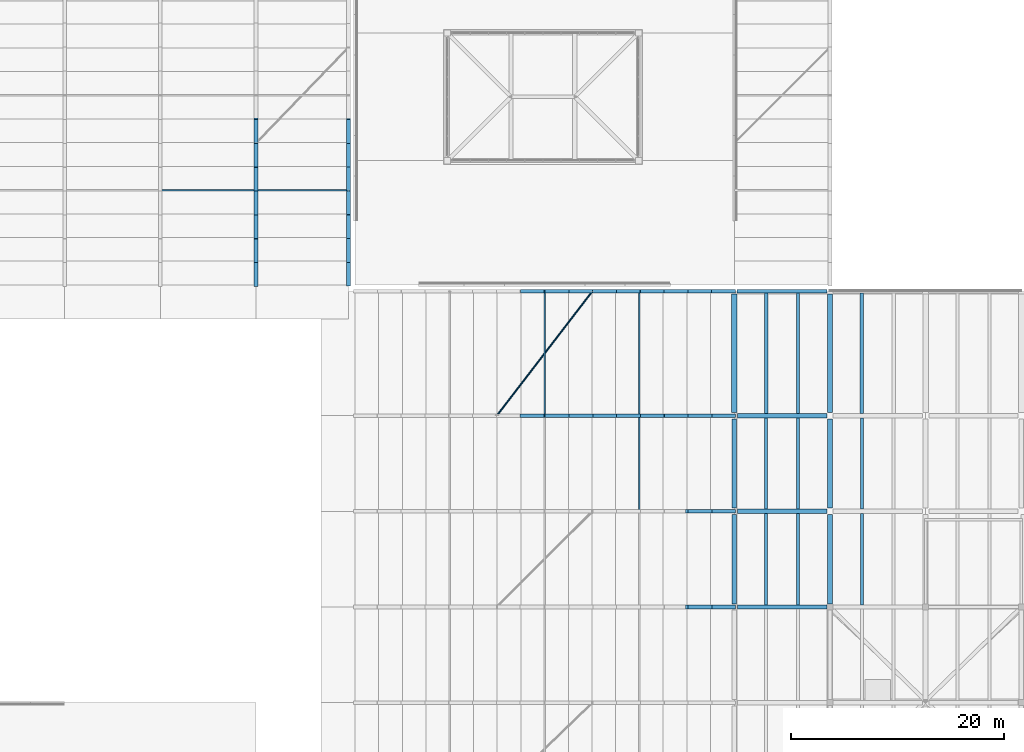
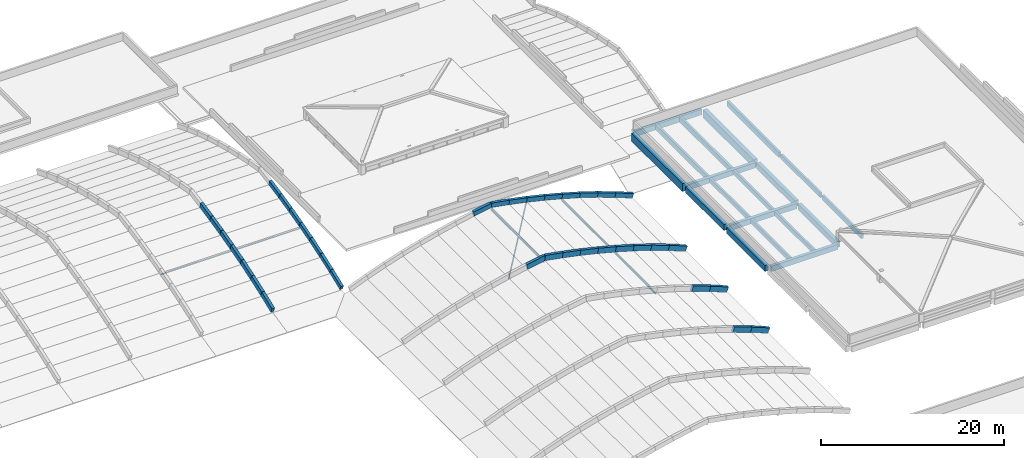
# One storey, part 32 of 56: 55 beams, 6 members.
"""IFC4 building model written with IfcOpenShell, lengths in metres."""

from ifc_helpers import new_model, si_unit, direction, frame, origin, origin_2d, place, context, subcontext, project, spatial, rectangle, hollow_rectangle, hollow_circle, i_section, extrude, material, material_profile, profile_set, type_object, element, save


model = new_model("IFC4")

# Units and contexts
model_context = context("Model", 3, precision=1e-05, world=origin(), true_north=direction((0.0, 1.0)))
body_context = subcontext(model_context, "Body", "Model", "MODEL_VIEW")
ifc_project = project(units=[si_unit("LENGTHUNIT", "METRE"), si_unit("AREAUNIT", "SQUARE_METRE"), si_unit("VOLUMEUNIT", "CUBIC_METRE"), si_unit("PLANEANGLEUNIT", "RADIAN"), si_unit("MASSUNIT", "GRAM", prefix="KILO")], contexts=[model_context])

# Site, building, storey
site_placement = place(None, origin())
site = spatial("IfcSite", under=ifc_project, at=site_placement, CompositionType="ELEMENT")
building_placement = place(site_placement, origin())
building = spatial("IfcBuilding", under=site, at=building_placement, Name="Zacnel Wholesale Market", CompositionType="ELEMENT")
storey_placement = place(building_placement, frame((0.0, 0.0, 20.300048828125)))
storey = spatial("IfcBuildingStorey", under=building, at=storey_placement, Name="RF", CompositionType="ELEMENT", Elevation=20.300048828125)

# Beams
ifc_material_1 = material(Name="Concrete C40/50", Category="concrete")
ifc_material_profile_1 = material_profile(ifc_material_1, rectangle(XDim=0.35009765625, YDim=0.60009765625, at=origin_2d()), Name="ARCH RIB 350x600")
ifc_profile_set_1 = profile_set([ifc_material_profile_1], Name="Concrete C40/50")
beam_type_1 = type_object("IfcBeamType", Name="BM-AR600", PredefinedType="USERDEFINED", material=ifc_profile_set_1)
beam_1_placement = place(storey_placement, frame((143.699951171875, 96.300048828125, -8.830078125), z_axis=(0.0, 0.930242102492, 0.366946359501), x_axis=(-1.0, 0.0, 0.0)))
element("IfcBeam", 1, at=beam_1_placement, inside=storey, type_object=beam_type_1, Name="Extrados arch rib north_west-143.7-S01", ObjectType="ARCH RIB", PredefinedType="USERDEFINED", context=body_context, shape_type="SweptSolid", body=[
    extrude(rectangle(XDim=0.35009765625, YDim=0.60009765625, at=origin_2d()), origin(), (0.0, 0.0, 1.0), 2.3984375),
])
beam_2_placement = place(storey_placement, frame((143.699951171875, 98.53125, -7.949951171875), z_axis=(0.0, 0.941347429701, 0.337438907944), x_axis=(-1.0, 0.0, 0.0)))
element("IfcBeam", 2, at=beam_2_placement, inside=storey, type_object=beam_type_1, Name="Extrados arch rib north_west-143.7-S02", ObjectType="ARCH RIB", PredefinedType="USERDEFINED", context=body_context, shape_type="SweptSolid", body=[
    extrude(rectangle(XDim=0.35009765625, YDim=0.60009765625, at=origin_2d()), origin(), (0.0, 0.0, 1.0), 2.3701171875),
])
beam_3_placement = place(storey_placement, frame((143.699951171875, 100.762451171875, -7.150146484375), z_axis=(0.0, 0.951649713947, 0.307185321823), x_axis=(-1.0, 0.0, 0.0)))
element("IfcBeam", 3, at=beam_3_placement, inside=storey, type_object=beam_type_1, Name="Extrados arch rib north_west-143.7-S03", ObjectType="ARCH RIB", PredefinedType="USERDEFINED", context=body_context, shape_type="SweptSolid", body=[
    extrude(rectangle(XDim=0.35009765625, YDim=0.60009765625, at=origin_2d()), origin(), (0.0, 0.0, 1.0), 2.344482421875),
])
beam_4_placement = place(storey_placement, frame((143.699951171875, 102.99365234375, -6.429931640625), z_axis=(0.0, 0.961257594689, 0.275651658171), x_axis=(-1.0, 0.0, 0.0)))
element("IfcBeam", 4, at=beam_4_placement, inside=storey, type_object=beam_type_1, Name="Extrados arch rib north_west-143.7-S04", ObjectType="ARCH RIB", PredefinedType="USERDEFINED", context=body_context, shape_type="SweptSolid", body=[
    extrude(rectangle(XDim=0.35009765625, YDim=0.60009765625, at=origin_2d()), origin(), (0.0, 0.0, 1.0), 2.3212890625),
])
beam_5_placement = place(storey_placement, frame((143.699951171875, 105.22509765625, -5.7900390625), z_axis=(0.0, 0.967826117389, 0.251619964429), x_axis=(-1.0, 0.0, 0.0)))
element("IfcBeam", 5, at=beam_5_placement, inside=storey, type_object=beam_type_1, Name="Extrados arch rib north_west-143.7-S05", ObjectType="ARCH RIB", PredefinedType="USERDEFINED", context=body_context, shape_type="SweptSolid", body=[
    extrude(rectangle(XDim=0.35009765625, YDim=0.60009765625, at=origin_2d()), origin(), (0.0, 0.0, 1.0), 2.305419921875),
])
beam_6_placement = place(storey_placement, frame((143.699951171875, 107.456298828125, -5.2099609375), z_axis=(0.0, 0.973898559906, 0.226983688872), x_axis=(-1.0, 0.0, 0.0)))
element("IfcBeam", 6, at=beam_6_placement, inside=storey, type_object=beam_type_1, Name="Extrados arch rib north_west-143.7-S06", ObjectType="ARCH RIB", PredefinedType="USERDEFINED", context=body_context, shape_type="SweptSolid", body=[
    extrude(rectangle(XDim=0.35009765625, YDim=0.60009765625, at=origin_2d()), origin(), (0.0, 0.0, 1.0), 2.291015625),
])
beam_7_placement = place(storey_placement, frame((143.699951171875, 109.6875, -4.68994140625), z_axis=(0.0, 0.979405339386, 0.201903890951), x_axis=(-1.0, 0.0, 0.0)))
element("IfcBeam", 7, at=beam_7_placement, inside=storey, type_object=beam_type_1, Name="Extrados arch rib north_west-143.7-S07", ObjectType="ARCH RIB", PredefinedType="USERDEFINED", context=body_context, shape_type="SweptSolid", body=[
    extrude(rectangle(XDim=0.35009765625, YDim=0.60009765625, at=origin_2d()), origin(), (0.0, 0.0, 1.0), 2.278076171875),
])
for number, where, z_axis, x_axis, name in (
    (8, (159.918701171875, 95.699951171875, -4.22998046875), (0.984314876249, 0.0, 0.176420589484), (0.0, 1.0, 0.0), "Extrados arch rib east-95.7-S08"),
    (9, (162.14990234375, 95.699951171875, -3.830078125), (0.984314876249, 0.0, -0.176420589484), (0.0, 1.0, 0.0), "Extrados arch rib east-95.7-S09"),
):
    element("IfcBeam", number, at=place(storey_placement, frame(where, z_axis=z_axis, x_axis=x_axis)), inside=storey, type_object=beam_type_1, Name=name, ObjectType="ARCH RIB", PredefinedType="USERDEFINED", context=body_context, shape_type="SweptSolid", body=[
        extrude(rectangle(XDim=0.35009765625, YDim=0.60009765625, at=origin_2d()), origin(), (0.0, 0.0, 1.0), 2.266845703125),
    ])
beam_8_placement = place(storey_placement, frame((164.381103515625, 95.699951171875, -4.22998046875), z_axis=(0.979409707408, 0.0, -0.201882701177), x_axis=(0.0, 1.0, 0.0)))
element("IfcBeam", 10, at=beam_8_placement, inside=storey, type_object=beam_type_1, Name="Extrados arch rib east-95.7-S10", ObjectType="ARCH RIB", PredefinedType="USERDEFINED", context=body_context, shape_type="SweptSolid", body=[
    extrude(rectangle(XDim=0.35009765625, YDim=0.60009765625, at=origin_2d()), origin(), (0.0, 0.0, 1.0), 2.2783203125),
])
beam_9_placement = place(storey_placement, frame((166.612548828125, 95.699951171875, -4.68994140625), z_axis=(0.973898559906, 0.0, -0.226983688872), x_axis=(0.0, 1.0, 0.0)))
element("IfcBeam", 11, at=beam_9_placement, inside=storey, type_object=beam_type_1, Name="Extrados arch rib east-95.7-S11", ObjectType="ARCH RIB", PredefinedType="USERDEFINED", context=body_context, shape_type="SweptSolid", body=[
    extrude(rectangle(XDim=0.35009765625, YDim=0.60009765625, at=origin_2d()), origin(), (0.0, 0.0, 1.0), 2.291015625),
])
beam_10_placement = place(storey_placement, frame((168.84375, 95.699951171875, -5.2099609375), z_axis=(0.967826117389, 0.0, -0.251619964429), x_axis=(0.0, 1.0, 0.0)))
element("IfcBeam", 12, at=beam_10_placement, inside=storey, type_object=beam_type_1, Name="Extrados arch rib east-95.7-S12", ObjectType="ARCH RIB", PredefinedType="USERDEFINED", context=body_context, shape_type="SweptSolid", body=[
    extrude(rectangle(XDim=0.35009765625, YDim=0.60009765625, at=origin_2d()), origin(), (0.0, 0.0, 1.0), 2.305419921875),
])
beam_11_placement = place(storey_placement, frame((171.074951171875, 95.699951171875, -5.7900390625), z_axis=(0.961257594689, 0.0, -0.275651658171), x_axis=(0.0, 1.0, 0.0)))
element("IfcBeam", 13, at=beam_11_placement, inside=storey, type_object=beam_type_1, Name="Extrados arch rib east-95.7-S13", ObjectType="ARCH RIB", PredefinedType="USERDEFINED", context=body_context, shape_type="SweptSolid", body=[
    extrude(rectangle(XDim=0.35009765625, YDim=0.60009765625, at=origin_2d()), origin(), (0.0, 0.0, 1.0), 2.3212890625),
])
beam_12_placement = place(storey_placement, frame((173.306396484375, 95.699951171875, -6.429931640625), z_axis=(0.951649713947, 0.0, -0.307185321823), x_axis=(0.0, 1.0, 0.0)))
element("IfcBeam", 14, at=beam_12_placement, inside=storey, type_object=beam_type_1, Name="Extrados arch rib east-95.7-S14", ObjectType="ARCH RIB", PredefinedType="USERDEFINED", context=body_context, shape_type="SweptSolid", body=[
    extrude(rectangle(XDim=0.35009765625, YDim=0.60009765625, at=origin_2d()), origin(), (0.0, 0.0, 1.0), 2.344482421875),
])
beam_13_placement = place(storey_placement, frame((175.53759765625, 95.699951171875, -7.150146484375), z_axis=(0.941347429701, 0.0, -0.337438907944), x_axis=(0.0, 1.0, 0.0)))
element("IfcBeam", 15, at=beam_13_placement, inside=storey, type_object=beam_type_1, Name="Extrados arch rib east-95.7-S15", ObjectType="ARCH RIB", PredefinedType="USERDEFINED", context=body_context, shape_type="SweptSolid", body=[
    extrude(rectangle(XDim=0.35009765625, YDim=0.60009765625, at=origin_2d()), origin(), (0.0, 0.0, 1.0), 2.3701171875),
])
beam_14_placement = place(storey_placement, frame((177.768798828125, 95.699951171875, -7.949951171875), z_axis=(0.930242102492, 0.0, -0.366946359501), x_axis=(0.0, 1.0, 0.0)))
element("IfcBeam", 16, at=beam_14_placement, inside=storey, type_object=beam_type_1, Name="Extrados arch rib east-95.7-S16", ObjectType="ARCH RIB", PredefinedType="USERDEFINED", context=body_context, shape_type="SweptSolid", body=[
    extrude(rectangle(XDim=0.35009765625, YDim=0.60009765625, at=origin_2d()), origin(), (0.0, 0.0, 1.0), 2.3984375),
])
ifc_material_2 = material(Name="Concrete C40/50", Category="concrete")
ifc_material_profile_2 = material_profile(ifc_material_2, rectangle(XDim=0.35009765625, YDim=0.699951171875, at=origin_2d()), Name="ARCH RIB 350x700")
ifc_profile_set_2 = profile_set([ifc_material_profile_2], Name="Concrete C40/50")
beam_type_2 = type_object("IfcBeamType", Name="BM-AR700", PredefinedType="USERDEFINED", material=ifc_profile_set_2)
beam_15_placement = place(storey_placement, frame((135.0, 96.300048828125, -8.780029296875), z_axis=(0.0, 0.930276844905, 0.366858272135), x_axis=(-1.0, 0.0, 0.0)))
element("IfcBeam", 17, at=beam_15_placement, inside=storey, type_object=beam_type_2, Name="Extrados arch rib north_west-135.0-S01", ObjectType="ARCH RIB", PredefinedType="USERDEFINED", context=body_context, shape_type="SweptSolid", body=[
    extrude(rectangle(XDim=0.35009765625, YDim=0.699951171875, at=origin_2d()), origin(), (0.0, 0.0, 1.0), 2.3984375),
])
beam_16_placement = place(storey_placement, frame((135.0, 98.53125, -7.900146484375), z_axis=(0.0, 0.94131470769, 0.337530178039), x_axis=(-1.0, 0.0, 0.0)))
element("IfcBeam", 18, at=beam_16_placement, inside=storey, type_object=beam_type_2, Name="Extrados arch rib north_west-135.0-S02", ObjectType="ARCH RIB", PredefinedType="USERDEFINED", context=body_context, shape_type="SweptSolid", body=[
    extrude(rectangle(XDim=0.35009765625, YDim=0.699951171875, at=origin_2d()), origin(), (0.0, 0.0, 1.0), 2.370361328125),
])
beam_17_placement = place(storey_placement, frame((135.0, 100.762451171875, -7.10009765625), z_axis=(0.0, 0.951680151046, 0.30709101274), x_axis=(-1.0, 0.0, 0.0)))
element("IfcBeam", 19, at=beam_17_placement, inside=storey, type_object=beam_type_2, Name="Extrados arch rib north_west-135.0-S03", ObjectType="ARCH RIB", PredefinedType="USERDEFINED", context=body_context, shape_type="SweptSolid", body=[
    extrude(rectangle(XDim=0.35009765625, YDim=0.699951171875, at=origin_2d()), origin(), (0.0, 0.0, 1.0), 2.344482421875),
])
beam_18_placement = place(storey_placement, frame((135.0, 102.99365234375, -6.380126953125), z_axis=(0.0, 0.961229723344, 0.275748833108), x_axis=(-1.0, 0.0, 0.0)))
element("IfcBeam", 20, at=beam_18_placement, inside=storey, type_object=beam_type_2, Name="Extrados arch rib north_west-135.0-S04", ObjectType="ARCH RIB", PredefinedType="USERDEFINED", context=body_context, shape_type="SweptSolid", body=[
    extrude(rectangle(XDim=0.35009765625, YDim=0.699951171875, at=origin_2d()), origin(), (0.0, 0.0, 1.0), 2.321533203125),
])
beam_19_placement = place(storey_placement, frame((135.0, 105.22509765625, -5.739990234375), z_axis=(0.0, 0.967851902384, 0.251520764653), x_axis=(-1.0, 0.0, 0.0)))
element("IfcBeam", 21, at=beam_19_placement, inside=storey, type_object=beam_type_2, Name="Extrados arch rib north_west-135.0-S05", ObjectType="ARCH RIB", PredefinedType="USERDEFINED", context=body_context, shape_type="SweptSolid", body=[
    extrude(rectangle(XDim=0.35009765625, YDim=0.699951171875, at=origin_2d()), origin(), (0.0, 0.0, 1.0), 2.305419921875),
])
beam_20_placement = place(storey_placement, frame((135.0, 107.456298828125, -5.16015625), z_axis=(0.0, 0.973898559906, 0.226983688872), x_axis=(-1.0, 0.0, 0.0)))
element("IfcBeam", 22, at=beam_20_placement, inside=storey, type_object=beam_type_2, Name="Extrados arch rib north_west-135.0-S06", ObjectType="ARCH RIB", PredefinedType="USERDEFINED", context=body_context, shape_type="SweptSolid", body=[
    extrude(rectangle(XDim=0.35009765625, YDim=0.699951171875, at=origin_2d()), origin(), (0.0, 0.0, 1.0), 2.291015625),
])
beam_21_placement = place(storey_placement, frame((135.0, 109.6875, -4.64013671875), z_axis=(0.0, 0.979384142499, 0.202006686575), x_axis=(-1.0, 0.0, 0.0)))
element("IfcBeam", 23, at=beam_21_placement, inside=storey, type_object=beam_type_2, Name="Extrados arch rib north_west-135.0-S07", ObjectType="ARCH RIB", PredefinedType="USERDEFINED", context=body_context, shape_type="SweptSolid", body=[
    extrude(rectangle(XDim=0.35009765625, YDim=0.699951171875, at=origin_2d()), origin(), (0.0, 0.0, 1.0), 2.278076171875),
])
beam_22_placement = place(storey_placement, frame((175.53759765625, 66.0, -7.10009765625), z_axis=(0.94131470769, 0.0, -0.337530178039), x_axis=(0.0, 1.0, 0.0)))
element("IfcBeam", 24, at=beam_22_placement, inside=storey, type_object=beam_type_2, Name="Extrados arch rib east-66.0-S15", ObjectType="ARCH RIB", PredefinedType="USERDEFINED", context=body_context, shape_type="SweptSolid", body=[
    extrude(rectangle(XDim=0.35009765625, YDim=0.699951171875, at=origin_2d()), origin(), (0.0, 0.0, 1.0), 2.370361328125),
])
beam_23_placement = place(storey_placement, frame((177.768798828125, 66.0, -7.900146484375), z_axis=(0.930276844905, 0.0, -0.366858272135), x_axis=(0.0, 1.0, 0.0)))
element("IfcBeam", 25, at=beam_23_placement, inside=storey, type_object=beam_type_2, Name="Extrados arch rib east-66.0-S16", ObjectType="ARCH RIB", PredefinedType="USERDEFINED", context=body_context, shape_type="SweptSolid", body=[
    extrude(rectangle(XDim=0.35009765625, YDim=0.699951171875, at=origin_2d()), origin(), (0.0, 0.0, 1.0), 2.3984375),
])
beam_24_placement = place(storey_placement, frame((175.53759765625, 75.0, -7.10009765625), z_axis=(0.94131470769, 0.0, -0.337530178039), x_axis=(0.0, 1.0, 0.0)))
element("IfcBeam", 26, at=beam_24_placement, inside=storey, type_object=beam_type_2, Name="Extrados arch rib east-75.0-S15", ObjectType="ARCH RIB", PredefinedType="USERDEFINED", context=body_context, shape_type="SweptSolid", body=[
    extrude(rectangle(XDim=0.35009765625, YDim=0.699951171875, at=origin_2d()), origin(), (0.0, 0.0, 1.0), 2.370361328125),
])
beam_25_placement = place(storey_placement, frame((177.768798828125, 75.0, -7.900146484375), z_axis=(0.930276844905, 0.0, -0.366858272135), x_axis=(0.0, 1.0, 0.0)))
element("IfcBeam", 27, at=beam_25_placement, inside=storey, type_object=beam_type_2, Name="Extrados arch rib east-75.0-S16", ObjectType="ARCH RIB", PredefinedType="USERDEFINED", context=body_context, shape_type="SweptSolid", body=[
    extrude(rectangle(XDim=0.35009765625, YDim=0.699951171875, at=origin_2d()), origin(), (0.0, 0.0, 1.0), 2.3984375),
])
for number, where, z_axis, x_axis, name in (
    (28, (159.918701171875, 84.0, -4.179931640625), (0.984314876249, 0.0, 0.176420589484), (0.0, 1.0, 0.0), "Extrados arch rib east-84.0-S08"),
    (29, (162.14990234375, 84.0, -3.780029296875), (0.984314876249, 0.0, -0.176420589484), (0.0, 1.0, 0.0), "Extrados arch rib east-84.0-S09"),
):
    element("IfcBeam", number, at=place(storey_placement, frame(where, z_axis=z_axis, x_axis=x_axis)), inside=storey, type_object=beam_type_2, Name=name, ObjectType="ARCH RIB", PredefinedType="USERDEFINED", context=body_context, shape_type="SweptSolid", body=[
        extrude(rectangle(XDim=0.35009765625, YDim=0.699951171875, at=origin_2d()), origin(), (0.0, 0.0, 1.0), 2.266845703125),
    ])
beam_26_placement = place(storey_placement, frame((164.381103515625, 84.0, -4.179931640625), z_axis=(0.979388514875, 0.0, -0.20198548693), x_axis=(0.0, 1.0, 0.0)))
element("IfcBeam", 30, at=beam_26_placement, inside=storey, type_object=beam_type_2, Name="Extrados arch rib east-84.0-S10", ObjectType="ARCH RIB", PredefinedType="USERDEFINED", context=body_context, shape_type="SweptSolid", body=[
    extrude(rectangle(XDim=0.35009765625, YDim=0.699951171875, at=origin_2d()), origin(), (0.0, 0.0, 1.0), 2.2783203125),
])
beam_27_placement = place(storey_placement, frame((166.612548828125, 84.0, -4.64013671875), z_axis=(0.973898559906, 0.0, -0.226983688872), x_axis=(0.0, 1.0, 0.0)))
element("IfcBeam", 31, at=beam_27_placement, inside=storey, type_object=beam_type_2, Name="Extrados arch rib east-84.0-S11", ObjectType="ARCH RIB", PredefinedType="USERDEFINED", context=body_context, shape_type="SweptSolid", body=[
    extrude(rectangle(XDim=0.35009765625, YDim=0.699951171875, at=origin_2d()), origin(), (0.0, 0.0, 1.0), 2.291015625),
])
beam_28_placement = place(storey_placement, frame((168.84375, 84.0, -5.16015625), z_axis=(0.967851902384, 0.0, -0.251520764653), x_axis=(0.0, 1.0, 0.0)))
element("IfcBeam", 32, at=beam_28_placement, inside=storey, type_object=beam_type_2, Name="Extrados arch rib east-84.0-S12", ObjectType="ARCH RIB", PredefinedType="USERDEFINED", context=body_context, shape_type="SweptSolid", body=[
    extrude(rectangle(XDim=0.35009765625, YDim=0.699951171875, at=origin_2d()), origin(), (0.0, 0.0, 1.0), 2.305419921875),
])
beam_29_placement = place(storey_placement, frame((171.074951171875, 84.0, -5.739990234375), z_axis=(0.961229723344, 0.0, -0.275748833108), x_axis=(0.0, 1.0, 0.0)))
element("IfcBeam", 33, at=beam_29_placement, inside=storey, type_object=beam_type_2, Name="Extrados arch rib east-84.0-S13", ObjectType="ARCH RIB", PredefinedType="USERDEFINED", context=body_context, shape_type="SweptSolid", body=[
    extrude(rectangle(XDim=0.35009765625, YDim=0.699951171875, at=origin_2d()), origin(), (0.0, 0.0, 1.0), 2.321533203125),
])
beam_30_placement = place(storey_placement, frame((173.306396484375, 84.0, -6.380126953125), z_axis=(0.951680151046, 0.0, -0.30709101274), x_axis=(0.0, 1.0, 0.0)))
element("IfcBeam", 34, at=beam_30_placement, inside=storey, type_object=beam_type_2, Name="Extrados arch rib east-84.0-S14", ObjectType="ARCH RIB", PredefinedType="USERDEFINED", context=body_context, shape_type="SweptSolid", body=[
    extrude(rectangle(XDim=0.35009765625, YDim=0.699951171875, at=origin_2d()), origin(), (0.0, 0.0, 1.0), 2.344482421875),
])
beam_31_placement = place(storey_placement, frame((175.53759765625, 84.0, -7.10009765625), z_axis=(0.94131470769, 0.0, -0.337530178039), x_axis=(0.0, 1.0, 0.0)))
element("IfcBeam", 35, at=beam_31_placement, inside=storey, type_object=beam_type_2, Name="Extrados arch rib east-84.0-S15", ObjectType="ARCH RIB", PredefinedType="USERDEFINED", context=body_context, shape_type="SweptSolid", body=[
    extrude(rectangle(XDim=0.35009765625, YDim=0.699951171875, at=origin_2d()), origin(), (0.0, 0.0, 1.0), 2.370361328125),
])
beam_32_placement = place(storey_placement, frame((177.768798828125, 84.0, -7.900146484375), z_axis=(0.930276844905, 0.0, -0.366858272135), x_axis=(0.0, 1.0, 0.0)))
element("IfcBeam", 36, at=beam_32_placement, inside=storey, type_object=beam_type_2, Name="Extrados arch rib east-84.0-S16", ObjectType="ARCH RIB", PredefinedType="USERDEFINED", context=body_context, shape_type="SweptSolid", body=[
    extrude(rectangle(XDim=0.35009765625, YDim=0.699951171875, at=origin_2d()), origin(), (0.0, 0.0, 1.0), 2.3984375),
])
ifc_material_3 = material(Name="Precast concrete C45/55", Category="concrete")
ifc_material_profile_3 = material_profile(ifc_material_3, rectangle(XDim=0.280029296875, YDim=0.60009765625, at=origin_2d()), Name="DT RIB 280x600")
ifc_profile_set_3 = profile_set([ifc_material_profile_3], Name="Precast concrete C45/55")
beam_type_3 = type_object("IfcBeamType", Name="BM-DT600", PredefinedType="JOIST", material=ifc_profile_set_3)
for number, where, z_axis, x_axis, name in (
    (37, (183.0, 66.199951171875, -0.60009765625), (0.0, 1.0, 0.0), (-1.0, 0.0, 0.0), "Precast secondary joist RF-0881"),
    (38, (186.0, 66.199951171875, -0.60009765625), (0.0, 1.0, 0.0), (-1.0, 0.0, 0.0), "Precast secondary joist RF-0882"),
    (39, (192.0, 66.199951171875, -0.60009765625), (0.0, 1.0, 0.0), (-1.0, 0.0, 0.0), "Precast secondary joist RF-0883"),
    (40, (183.0, 75.199951171875, -0.60009765625), (0.0, 1.0, 0.0), (-1.0, 0.0, 0.0), "Precast secondary joist RF-0901"),
    (41, (186.0, 75.199951171875, -0.60009765625), (0.0, 1.0, 0.0), (-1.0, 0.0, 0.0), "Precast secondary joist RF-0902"),
    (42, (192.0, 75.199951171875, -0.60009765625), (0.0, 1.0, 0.0), (-1.0, 0.0, 0.0), "Precast secondary joist RF-0903"),
):
    element("IfcBeam", number, at=place(storey_placement, frame(where, z_axis=z_axis, x_axis=x_axis)), inside=storey, type_object=beam_type_3, Name=name, PredefinedType="JOIST", context=body_context, shape_type="SweptSolid", body=[
        extrude(rectangle(XDim=0.280029296875, YDim=0.60009765625, at=origin_2d()), origin(), (0.0, 0.0, 1.0), 8.60009765625),
    ])
ifc_material_4 = material(Name="Precast concrete C45/55", Category="concrete")
ifc_material_profile_4 = material_profile(ifc_material_4, rectangle(XDim=0.300048828125, YDim=0.699951171875, at=origin_2d()), Name="DT RIB 300x700")
ifc_profile_set_4 = profile_set([ifc_material_profile_4], Name="Precast concrete C45/55")
beam_type_4 = type_object("IfcBeamType", Name="BM-DT700", PredefinedType="JOIST", material=ifc_profile_set_4)
for number, where, z_axis, x_axis, name in (
    (43, (183.0, 84.199951171875, -0.650146484375), (0.0, 1.0, 0.0), (-1.0, 0.0, 0.0), "Precast secondary joist RF-0921"),
    (44, (186.0, 84.199951171875, -0.650146484375), (0.0, 1.0, 0.0), (-1.0, 0.0, 0.0), "Precast secondary joist RF-0922"),
    (45, (192.0, 84.199951171875, -0.650146484375), (0.0, 1.0, 0.0), (-1.0, 0.0, 0.0), "Precast secondary joist RF-0923"),
):
    element("IfcBeam", number, at=place(storey_placement, frame(where, z_axis=z_axis, x_axis=x_axis)), inside=storey, type_object=beam_type_4, Name=name, PredefinedType="JOIST", context=body_context, shape_type="SweptSolid", body=[
        extrude(rectangle(XDim=0.300048828125, YDim=0.699951171875, at=origin_2d()), origin(), (0.0, 0.0, 1.0), 11.35009765625),
    ])
ifc_material_5 = material(Name="Precast concrete C45/55", Category="concrete")
ifc_material_profile_5 = material_profile(ifc_material_5, rectangle(XDim=0.5, YDim=1.050048828125, at=origin_2d()), Name="PG 500x1050")
ifc_profile_set_5 = profile_set([ifc_material_profile_5], Name="Precast concrete C45/55")
beam_type_5 = type_object("IfcBeamType", Name="BM-PG1050", PredefinedType="T_BEAM", material=ifc_profile_set_5)
for number, where, z_axis, x_axis, name in (
    (46, (180.0, 84.300048828125, -0.824951171875), (0.0, 1.0, 0.0), (-1.0, 0.0, 0.0), "Precast girder Y-1513"),
    (47, (189.0, 84.300048828125, -0.824951171875), (0.0, 1.0, 0.0), (-1.0, 0.0, 0.0), "Precast girder Y-1522"),
):
    element("IfcBeam", number, at=place(storey_placement, frame(where, z_axis=z_axis, x_axis=x_axis)), inside=storey, type_object=beam_type_5, Name=name, PredefinedType="T_BEAM", context=body_context, shape_type="SweptSolid", body=[
        extrude(rectangle(XDim=0.5, YDim=1.050048828125, at=origin_2d()), origin(), (0.0, 0.0, 1.0), 11.125),
    ])
ifc_material_6 = material(Name="Precast concrete C45/55", Category="concrete")
ifc_material_profile_6 = material_profile(ifc_material_6, rectangle(XDim=0.39990234375, YDim=0.699951171875, at=origin_2d()), Name="PG 400x700")
ifc_profile_set_6 = profile_set([ifc_material_profile_6], Name="Precast concrete C45/55")
beam_type_6 = type_object("IfcBeamType", Name="BM-PG700", PredefinedType="BEAM", material=ifc_profile_set_6)
for number, where, z_axis, x_axis, name in (
    (48, (180.300048828125, 66.0, -0.650146484375), (1.0, 0.0, 0.0), (0.0, 1.0, 0.0), "Precast girder X-1380"),
    (49, (180.300048828125, 75.0, -0.650146484375), (1.0, 0.0, 0.0), (0.0, 1.0, 0.0), "Precast girder X-1390"),
    (50, (180.300048828125, 84.0, -0.650146484375), (1.0, 0.0, 0.0), (0.0, 1.0, 0.0), "Precast girder X-1400"),
):
    element("IfcBeam", number, at=place(storey_placement, frame(where, z_axis=z_axis, x_axis=x_axis)), inside=storey, type_object=beam_type_6, Name=name, PredefinedType="BEAM", context=body_context, shape_type="SweptSolid", body=[
        extrude(rectangle(XDim=0.39990234375, YDim=0.699951171875, at=origin_2d()), origin(), (0.0, 0.0, 1.0), 8.39990234375),
    ])
ifc_material_7 = material(Name="Precast concrete C45/55", Category="concrete")
ifc_material_profile_7 = material_profile(ifc_material_7, rectangle(XDim=0.449951171875, YDim=0.800048828125, at=origin_2d()), Name="PG 450x800")
ifc_profile_set_7 = profile_set([ifc_material_profile_7], Name="Precast concrete C45/55")
beam_type_7 = type_object("IfcBeamType", Name="BM-PG800", PredefinedType="BEAM", material=ifc_profile_set_7)
for number, where, z_axis, x_axis, name in (
    (51, (180.0, 66.300048828125, -0.699951171875), (0.0, 1.0, 0.0), (-1.0, 0.0, 0.0), "Precast girder Y-1511"),
    (52, (180.0, 75.300048828125, -0.699951171875), (0.0, 1.0, 0.0), (-1.0, 0.0, 0.0), "Precast girder Y-1512"),
    (53, (189.0, 66.300048828125, -0.699951171875), (0.0, 1.0, 0.0), (-1.0, 0.0, 0.0), "Precast girder Y-1520"),
    (54, (189.0, 75.300048828125, -0.699951171875), (0.0, 1.0, 0.0), (-1.0, 0.0, 0.0), "Precast girder Y-1521"),
):
    element("IfcBeam", number, at=place(storey_placement, frame(where, z_axis=z_axis, x_axis=x_axis)), inside=storey, type_object=beam_type_7, Name=name, PredefinedType="BEAM", context=body_context, shape_type="SweptSolid", body=[
        extrude(rectangle(XDim=0.449951171875, YDim=0.800048828125, at=origin_2d()), origin(), (0.0, 0.0, 1.0), 8.39990234375),
    ])
ifc_material_8 = material(Name="Precast concrete C45/55", Category="concrete")
ifc_material_profile_8 = material_profile(ifc_material_8, rectangle(XDim=0.300048828125, YDim=0.75, at=origin_2d()), Name="SP 300x750")
ifc_profile_set_8 = profile_set([ifc_material_profile_8], Name="Precast concrete C45/55")
beam_type_8 = type_object("IfcBeamType", Name="BM-SP750", PredefinedType="SPANDREL", material=ifc_profile_set_8)
beam_33_placement = place(storey_placement, frame((180.27490234375, 95.699951171875, -0.675048828125), z_axis=(1.0, 0.0, 0.0), x_axis=(0.0, 1.0, 0.0)))
element("IfcBeam", 55, at=beam_33_placement, inside=storey, type_object=beam_type_8, Name="Precast girder X-1410", PredefinedType="SPANDREL", context=body_context, shape_type="SweptSolid", body=[
    extrude(rectangle(XDim=0.300048828125, YDim=0.75, at=origin_2d()), origin(), (0.0, 0.0, 1.0), 8.4501953125),
])

# Members
ifc_material_9 = material(Name="Steel S355", Category="steel")
ifc_material_profile_9 = material_profile(ifc_material_9, hollow_circle(Radius=0.084228515625, WallThickness=0.008056640625, at=origin_2d()), Name="CHS 168.3x8")
ifc_profile_set_9 = profile_set([ifc_material_profile_9], Name="Steel S355")
member_type_1 = type_object("IfcMemberType", Name="MEM-BRC-CHS168", PredefinedType="BRACE", material=ifc_profile_set_9)
member_1_placement = place(storey_placement, frame((157.6875, 84.0400390625, -5.06005859375), z_axis=(0.609139671654, 0.793062961194, 0.0), x_axis=(-0.793062961194, 0.609139671654, 0.0)))
element("IfcMember", 56, at=member_1_placement, inside=storey, type_object=member_type_1, Name="Shell diaphragm brace 017", PredefinedType="BRACE", context=body_context, shape_type="SweptSolid", body=[
    extrude(hollow_circle(Radius=0.084228515625, WallThickness=0.008056640625, at=origin_2d()), origin(), (0.0, 0.0, 1.0), 14.65185546875),
])
ifc_material_10 = material(Name="Steel S355", Category="steel")
ifc_material_profile_10 = material_profile(ifc_material_10, hollow_rectangle(XDim=0.10009765625, YDim=0.14990234375, WallThickness=0.008056640625, InnerFilletRadius=0.008056640625, OuterFilletRadius=0.01611328125, at=origin_2d()), Name="HSS 150x100x8")
ifc_profile_set_10 = profile_set([ifc_material_profile_10], Name="Steel S355")
member_type_2 = type_object("IfcMemberType", Name="MEM-PUR-HSS150", PredefinedType="PURLIN", material=ifc_profile_set_10)
member_2_placement = place(storey_placement, frame((126.02001953125, 105.22509765625, -6.27001953125), z_axis=(1.0, 0.0, 0.0), x_axis=(0.0, 1.0, 0.0)))
element("IfcMember", 57, at=member_2_placement, inside=storey, type_object=member_type_2, Name="Shell longitudinal tie purlin 0019", PredefinedType="PURLIN", context=body_context, shape_type="SweptSolid", body=[
    extrude(hollow_rectangle(XDim=0.10009765625, YDim=0.14990234375, WallThickness=0.008056640625, InnerFilletRadius=0.008056640625, OuterFilletRadius=0.01611328125, at=origin_2d()), origin(), (0.0, 0.0, 1.0), 8.9599609375),
])
member_3_placement = place(storey_placement, frame((135.02001953125, 105.22509765625, -6.27001953125), z_axis=(1.0, 0.0, 0.0), x_axis=(0.0, 1.0, 0.0)))
element("IfcMember", 58, at=member_3_placement, inside=storey, type_object=member_type_2, Name="Shell longitudinal tie purlin 0022", PredefinedType="PURLIN", context=body_context, shape_type="SweptSolid", body=[
    extrude(hollow_rectangle(XDim=0.10009765625, YDim=0.14990234375, WallThickness=0.008056640625, InnerFilletRadius=0.008056640625, OuterFilletRadius=0.01611328125, at=origin_2d()), origin(), (0.0, 0.0, 1.0), 8.659912109375),
])
ifc_material_11 = material(Name="Steel S355", Category="steel")
ifc_material_profile_11 = material_profile(ifc_material_11, i_section(OverallWidth=0.133056640625, OverallDepth=0.20703125, WebThickness=0.005859375, FlangeThickness=0.00830078125, FilletRadius=0.008056640625, at=origin_2d()), Name="W200X26.6")
ifc_profile_set_11 = profile_set([ifc_material_profile_11], Name="Steel S355")
member_type_3 = type_object("IfcMemberType", Name="MEM-PUR-W200", PredefinedType="PURLIN", material=ifc_profile_set_11)
member_4_placement = place(storey_placement, frame((171.074951171875, 75.02001953125, -6.298583984375), z_axis=(0.0, 1.0, 0.0), x_axis=(-1.0, 0.0, 0.0)))
element("IfcMember", 59, at=member_4_placement, inside=storey, type_object=member_type_3, Name="Shell longitudinal tie purlin 0039", PredefinedType="PURLIN", context=body_context, shape_type="SweptSolid", body=[
    extrude(i_section(OverallWidth=0.133056640625, OverallDepth=0.20703125, WebThickness=0.005859375, FlangeThickness=0.00830078125, FilletRadius=0.008056640625, at=origin_2d()), origin(), (0.0, 0.0, 1.0), 8.9599609375),
])
member_5_placement = place(storey_placement, frame((171.074951171875, 84.02001953125, -6.298583984375), z_axis=(0.0, 1.0, 0.0), x_axis=(-1.0, 0.0, 0.0)))
element("IfcMember", 60, at=member_5_placement, inside=storey, type_object=member_type_3, Name="Shell longitudinal tie purlin 0042", PredefinedType="PURLIN", context=body_context, shape_type="SweptSolid", body=[
    extrude(i_section(OverallWidth=0.133056640625, OverallDepth=0.20703125, WebThickness=0.005859375, FlangeThickness=0.00830078125, FilletRadius=0.008056640625, at=origin_2d()), origin(), (0.0, 0.0, 1.0), 11.659912109375),
])
ifc_material_12 = material(Name="Steel S355", Category="steel")
ifc_material_profile_12 = material_profile(ifc_material_12, i_section(OverallWidth=0.14599609375, OverallDepth=0.258056640625, WebThickness=0.006103515625, FlangeThickness=0.009033203125, FilletRadius=0.009033203125, at=origin_2d()), Name="W250X32.7")
ifc_profile_set_12 = profile_set([ifc_material_profile_12], Name="Steel S355")
member_type_4 = type_object("IfcMemberType", Name="MEM-PUR-W250", PredefinedType="PURLIN", material=ifc_profile_set_12)
member_6_placement = place(storey_placement, frame((162.14990234375, 84.02001953125, -4.364013671875), z_axis=(0.0, 1.0, 0.0), x_axis=(-1.0, 0.0, 0.0)))
element("IfcMember", 61, at=member_6_placement, inside=storey, type_object=member_type_4, Name="Shell longitudinal tie purlin 0041", PredefinedType="PURLIN", context=body_context, shape_type="SweptSolid", body=[
    extrude(i_section(OverallWidth=0.14599609375, OverallDepth=0.258056640625, WebThickness=0.006103515625, FlangeThickness=0.009033203125, FilletRadius=0.009033203125, at=origin_2d()), origin(), (0.0, 0.0, 1.0), 11.659912109375),
])

save(model, "model.ifc")
